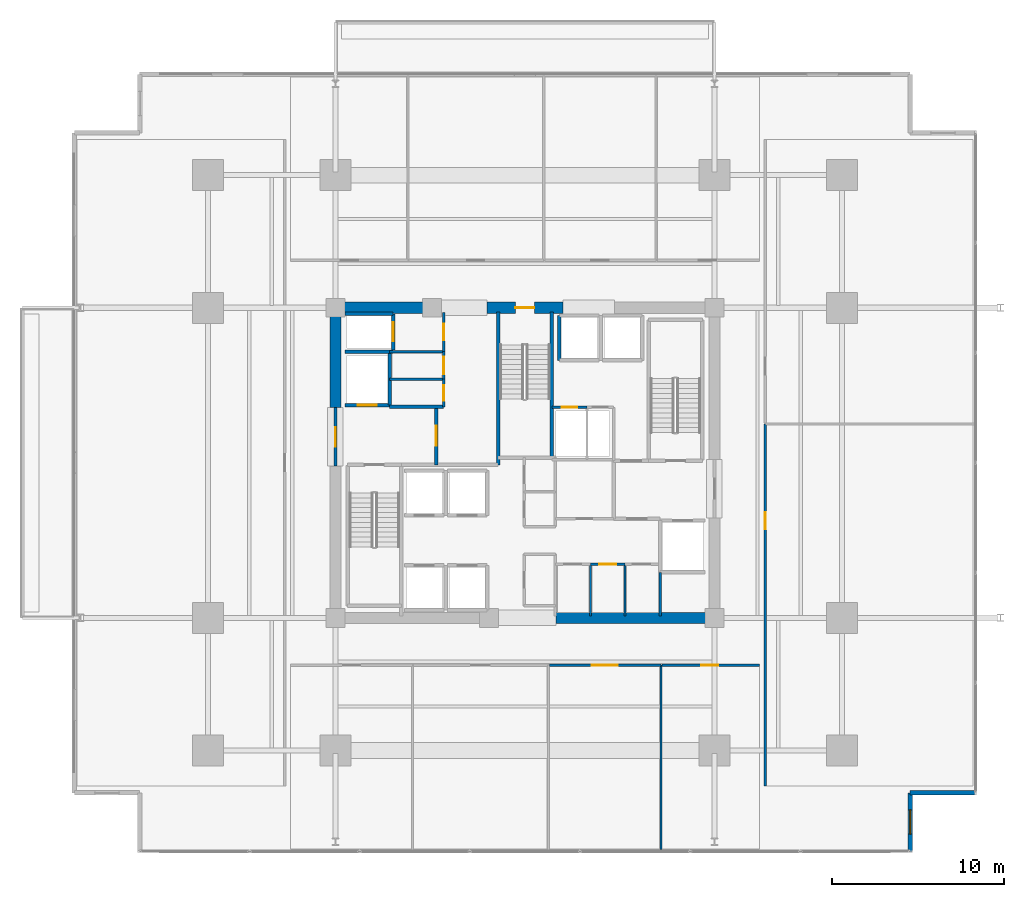
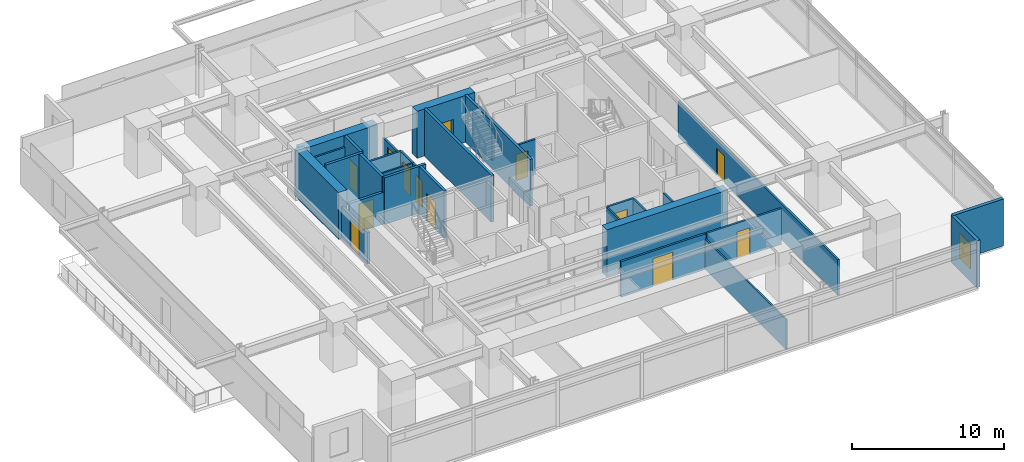
# One storey, part 14 of 20: 31 walls, 13 doors, 1 window, 14 openings.
"""IFC4 building model written with IfcOpenShell, lengths in metres."""

from ifc_helpers import new_model, si_unit, direction, frame, frame_2d, origin, place, context, subcontext, project, spatial, rectangle, extrude, material, layer, layer_set, type_object, element, fill, save


model = new_model("IFC4")

# Units and contexts
model_context = context("Model", 3, precision=1e-05, world=origin(), true_north=direction((0.0, 1.0)))
body_context = subcontext(model_context, "Body", "Model", "MODEL_VIEW")
ifc_project = project(units=[si_unit("LENGTHUNIT", "METRE"), si_unit("AREAUNIT", "SQUARE_METRE"), si_unit("VOLUMEUNIT", "CUBIC_METRE"), si_unit("PLANEANGLEUNIT", "RADIAN"), si_unit("MASSUNIT", "GRAM", prefix="KILO")], contexts=[model_context])

# Site, building, storey
site_placement = place(None, origin())
site = spatial("IfcSite", under=ifc_project, at=site_placement, CompositionType="ELEMENT")
building_placement = place(site_placement, origin())
building = spatial("IfcBuilding", under=site, at=building_placement, Name="Kovane Verandah Tower", CompositionType="ELEMENT")
storey_placement = place(building_placement, frame((0.0, 0.0, 75.60009765625)))
storey = spatial("IfcBuildingStorey", under=building, at=storey_placement, Name="L17", CompositionType="ELEMENT", Elevation=75.60009765625)

# Wall
ifc_material_1 = material(Name="Fire-Rated Gypsum Stud Partition", Category="gypsum")
ifc_layer_1 = layer(ifc_material_1, 0.14990234375)
ifc_layer_set_1 = layer_set([ifc_layer_1], Name="Fire-Rated Gypsum Stud Partition")
wall_type_1 = type_object("IfcWallType", Name="WL-COR-150", PredefinedType="PARTITIONING", material=ifc_layer_set_1)
wall_1_placement = place(storey_placement, frame((32.14990234375, 33.949951171875, 0.0), z_axis=(0.0, 0.0, 1.0), x_axis=(1.0, 0.0, 0.0)))
element("IfcWall", 1, at=wall_1_placement, inside=storey, type_object=wall_type_1, Name="L17 Goods Lift Lobby South Wall", PredefinedType="PARTITIONING", context=body_context, shape_type="SweptSolid", body=[
    extrude(rectangle(XDim=3.130126953125, YDim=0.14990234375, at=frame_2d((1.56494140625, 0.0))), origin(), (0.0, 0.0, 1.0), 2.849853515625),
])

# Wall, opening, door
wall_2_placement = place(storey_placement, frame((35.280029296875, 33.949951171875, 0.0), z_axis=(0.0, 0.0, 1.0), x_axis=(0.0, 1.0, 0.0)))
wall_2 = element("IfcWall", 2, at=wall_2_placement, inside=storey, type_object=wall_type_1, Name="L17 Goods Lift Lobby East Fire Partition", PredefinedType="PARTITIONING", context=body_context, shape_type="SweptSolid", body=[
    extrude(rectangle(XDim=2.27001953125, YDim=0.14990234375, at=frame_2d((1.135009765625, 0.0))), origin(), (0.0, 0.0, 1.0), 2.539794921875),
])
opening_1_placement = place(wall_2_placement, frame((0.659912109375, 0.0, 0.0)))
opening_1 = element("IfcOpeningElement", 3, at=opening_1_placement, cuts=wall_2, Name="Opening DR-L17-008", PredefinedType="OPENING", context=body_context, shape_type="SweptSolid", body=[
    extrude(rectangle(XDim=0.949951171875, YDim=2.14990234375, at=frame_2d((0.47509765625, 1.074951171875))), frame((0.0, 0.074951171875, 0.0), z_axis=(0.0, -1.0, 0.0), x_axis=(1.0, 0.0, 0.0)), (0.0, 0.0, 1.0), 0.14990234375),
])
ifc_material_2 = material(Name="Fire-Rated Steel Refuge and Lobby Door", Category="steel")
door_type_1 = type_object("IfcDoorType", Name="DR-FIRE-950", OperationType="SINGLE_SWING_LEFT", PredefinedType="DOOR", material=ifc_material_2)
door_1_placement = place(opening_1_placement, origin())
door_1 = element("IfcDoor", 4, at=door_1_placement, inside=storey, type_object=door_type_1, Name="L17 Goods Lift Lobby Fire Door", OperationType="SINGLE_SWING_LEFT", OverallHeight=2.14990234375, OverallWidth=0.949951171875, PredefinedType="DOOR", context=body_context, shape_type="SweptSolid", body=[
    extrude(rectangle(XDim=0.949951171875, YDim=2.14990234375, at=frame_2d((0.47509765625, 1.074951171875))), frame((0.0, 0.02490234375, 0.0), z_axis=(0.0, -1.0, 0.0), x_axis=(1.0, 0.0, 0.0)), (0.0, 0.0, 1.0), 0.050048828125),
])
fill(opening_1, door_1)

wall_3_placement = place(storey_placement, frame((35.280029296875, 30.75, 0.0), z_axis=(0.0, 0.0, 1.0), x_axis=(0.0, 1.0, 0.0)))
wall_3 = element("IfcWall", 5, at=wall_3_placement, inside=storey, type_object=wall_type_1, Name="L17 Accessible Unisex Toilet Partition", PredefinedType="PARTITIONING", context=body_context, shape_type="SweptSolid", body=[
    extrude(rectangle(XDim=1.60009765625, YDim=0.14990234375, at=frame_2d((0.800048828125, 0.0))), origin(), (0.0, 0.0, 1.0), 2.849853515625),
])
opening_2_placement = place(wall_3_placement, frame((0.35009765625, 0.0, 0.0)))
opening_2 = element("IfcOpeningElement", 6, at=opening_2_placement, cuts=wall_3, Name="Opening DR-L17-030", PredefinedType="OPENING", context=body_context, shape_type="SweptSolid", body=[
    extrude(rectangle(XDim=0.89990234375, YDim=2.10009765625, at=frame_2d((0.449951171875, 1.050048828125))), frame((0.0, 0.074951171875, 0.0), z_axis=(0.0, -1.0, 0.0), x_axis=(1.0, 0.0, 0.0)), (0.0, 0.0, 1.0), 0.14990234375),
])
ifc_material_3 = material(Name="Moisture-Resistant Laminate Washroom Door", Category="wood")
door_type_2 = type_object("IfcDoorType", Name="DR-WC-900", OperationType="SINGLE_SWING_LEFT", PredefinedType="DOOR", material=ifc_material_3)
door_2_placement = place(opening_2_placement, origin())
door_2 = element("IfcDoor", 7, at=door_2_placement, inside=storey, type_object=door_type_2, Name="L17 Accessible Unisex Toilet Door", OperationType="SINGLE_SWING_RIGHT", OverallHeight=2.10009765625, OverallWidth=0.89990234375, PredefinedType="DOOR", context=body_context, shape_type="SweptSolid", body=[
    extrude(rectangle(XDim=0.89990234375, YDim=2.10009765625, at=frame_2d((0.449951171875, 1.050048828125))), frame((0.0, 0.02490234375, 0.0), z_axis=(0.0, -1.0, 0.0), x_axis=(1.0, 0.0, 0.0)), (0.0, 0.0, 1.0), 0.050048828125),
])
fill(opening_2, door_2)

wall_4_placement = place(storey_placement, frame((35.280029296875, 32.35009765625, 0.0), z_axis=(0.0, 0.0, 1.0), x_axis=(0.0, 1.0, 0.0)))
wall_4 = element("IfcWall", 8, at=wall_4_placement, inside=storey, type_object=wall_type_1, Name="L17 North-West First Aid Room Partition", PredefinedType="PARTITIONING", context=body_context, shape_type="SweptSolid", body=[
    extrude(rectangle(XDim=1.599853515625, YDim=0.14990234375, at=frame_2d((0.7998046875, 0.0))), origin(), (0.0, 0.0, 1.0), 2.849853515625),
])
opening_3_placement = place(wall_4_placement, frame((0.300048828125, 0.0, 0.0)))
opening_3 = element("IfcOpeningElement", 9, at=opening_3_placement, cuts=wall_4, Name="Opening DR-L17-012", PredefinedType="OPENING", context=body_context, shape_type="SweptSolid", body=[
    extrude(rectangle(XDim=1.0, YDim=2.14990234375, at=frame_2d((0.5, 1.074951171875))), frame((0.0, 0.074951171875, 0.0), z_axis=(0.0, -1.0, 0.0), x_axis=(1.0, 0.0, 0.0)), (0.0, 0.0, 1.0), 0.14990234375),
])
ifc_material_4 = material(Name="FSC Spotted-Gum Timber Fire-Rated Office Door", Category="wood")
door_type_3 = type_object("IfcDoorType", Name="DR-OFF-1000", OperationType="SINGLE_SWING_LEFT", PredefinedType="DOOR", material=ifc_material_4)
door_3_placement = place(opening_3_placement, origin())
door_3 = element("IfcDoor", 10, at=door_3_placement, inside=storey, type_object=door_type_3, Name="L17 North-West First Aid Room Door", OperationType="SINGLE_SWING_LEFT", OverallHeight=2.14990234375, OverallWidth=1.0, PredefinedType="DOOR", context=body_context, shape_type="SweptSolid", body=[
    extrude(rectangle(XDim=1.0, YDim=2.14990234375, at=frame_2d((0.5, 1.074951171875))), frame((0.0, 0.02490234375, 0.0), z_axis=(0.0, -1.0, 0.0), x_axis=(1.0, 0.0, 0.0)), (0.0, 0.0, 1.0), 0.050048828125),
])
fill(opening_3, door_3)

# Wall
wall_5_placement = place(storey_placement, frame((47.85009765625, 18.60009765625, 0.0), z_axis=(0.0, 0.0, 1.0), x_axis=(0.0, 1.0, 0.0)))
element("IfcWall", 11, at=wall_5_placement, inside=storey, type_object=wall_type_1, Name="L17 East Core Support East Wall", PredefinedType="PARTITIONING", context=body_context, shape_type="SweptSolid", body=[
    extrude(rectangle(XDim=2.539794921875, YDim=0.14990234375, at=frame_2d((1.27001953125, 0.0))), origin(), (0.0, 0.0, 1.0), 2.849853515625),
])

# Wall, opening, door
wall_6_placement = place(storey_placement, frame((43.800048828125, 21.6201171875, 0.0), z_axis=(0.0, 0.0, 1.0), x_axis=(1.0, 0.0, 0.0)))
wall_6 = element("IfcWall", 12, at=wall_6_placement, inside=storey, type_object=wall_type_1, Name="L17 First Aid Room Partition", PredefinedType="PARTITIONING", context=body_context, shape_type="SweptSolid", body=[
    extrude(rectangle(XDim=2.0, YDim=0.14990234375, at=frame_2d((1.0, 0.0))), origin(), (0.0, 0.0, 1.0), 2.849853515625),
])
opening_4_placement = place(wall_6_placement, frame((0.5, 0.0, 0.0)))
opening_4 = element("IfcOpeningElement", 13, at=opening_4_placement, cuts=wall_6, Name="Opening DR-L17-016", PredefinedType="OPENING", context=body_context, shape_type="SweptSolid", body=[
    extrude(rectangle(XDim=1.0, YDim=2.14990234375, at=frame_2d((0.5, 1.074951171875))), frame((0.0, 0.074951171875, 0.0), z_axis=(0.0, -1.0, 0.0), x_axis=(1.0, 0.0, 0.0)), (0.0, 0.0, 1.0), 0.14990234375),
])
door_4_placement = place(opening_4_placement, origin())
door_4 = element("IfcDoor", 14, at=door_4_placement, inside=storey, type_object=door_type_3, Name="L17 First Aid Room Door", OperationType="SINGLE_SWING_LEFT", OverallHeight=2.14990234375, OverallWidth=1.0, PredefinedType="DOOR", context=body_context, shape_type="SweptSolid", body=[
    extrude(rectangle(XDim=1.0, YDim=2.14990234375, at=frame_2d((0.5, 1.074951171875))), frame((0.0, 0.02490234375, 0.0), z_axis=(0.0, -1.0, 0.0), x_axis=(1.0, 0.0, 0.0)), (0.0, 0.0, 1.0), 0.050048828125),
])
fill(opening_4, door_4)

wall_7_placement = place(storey_placement, frame((41.56005859375, 30.719970703125, 0.0), z_axis=(0.0, 0.0, 1.0), x_axis=(1.0, 0.0, 0.0)))
wall_7 = element("IfcWall", 15, at=wall_7_placement, inside=storey, type_object=wall_type_1, Name="L17 Electrical Sub-Main Riser Room Partition", PredefinedType="PARTITIONING", context=body_context, shape_type="SweptSolid", body=[
    extrude(rectangle(XDim=2.0400390625, YDim=0.14990234375, at=frame_2d((1.02001953125, 0.0))), origin(), (0.0, 0.0, 1.0), 2.849853515625),
])
opening_5_placement = place(wall_7_placement, frame((0.580078125, 0.0, 0.0)))
opening_5 = element("IfcOpeningElement", 16, at=opening_5_placement, cuts=wall_7, Name="Opening DR-L17-019", PredefinedType="OPENING", context=body_context, shape_type="SweptSolid", body=[
    extrude(rectangle(XDim=0.8798828125, YDim=2.10009765625, at=frame_2d((0.43994140625, 1.050048828125))), frame((0.0, 0.074951171875, 0.0), z_axis=(0.0, -1.0, 0.0), x_axis=(1.0, 0.0, 0.0)), (0.0, 0.0, 1.0), 0.14990234375),
])
ifc_material_5 = material(Name="Fire-Rated Steel Riser Access Door", Category="steel")
door_type_4 = type_object("IfcDoorType", Name="DR-RISER-880", OperationType="SINGLE_SWING_LEFT", PredefinedType="DOOR", material=ifc_material_5)
door_5_placement = place(opening_5_placement, origin())
door_5 = element("IfcDoor", 17, at=door_5_placement, inside=storey, type_object=door_type_4, Name="L17 Electrical Sub-Main Riser Room Door", OperationType="SINGLE_SWING_RIGHT", OverallHeight=2.10009765625, OverallWidth=0.8798828125, PredefinedType="DOOR", context=body_context, shape_type="SweptSolid", body=[
    extrude(rectangle(XDim=0.8798828125, YDim=2.10009765625, at=frame_2d((0.43994140625, 1.050048828125))), frame((0.0, 0.02490234375, 0.0), z_axis=(0.0, -1.0, 0.0), x_axis=(1.0, 0.0, 0.0)), (0.0, 0.0, 1.0), 0.050048828125),
])
fill(opening_5, door_5)

wall_8_placement = place(storey_placement, frame((41.429931640625, 15.75, 0.0), z_axis=(0.0, 0.0, 1.0), x_axis=(1.0, 0.0, 0.0)))
wall_8 = element("IfcWall", 18, at=wall_8_placement, inside=storey, type_object=wall_type_1, Name="L17 Client Boardroom S3 Corridor Partition", PredefinedType="PARTITIONING", context=body_context, shape_type="SweptSolid", body=[
    extrude(rectangle(XDim=6.4580078125, YDim=0.14990234375, at=frame_2d((3.22900390625, 0.0))), origin(), (0.0, 0.0, 1.0), 2.849853515625),
])
opening_6_placement = place(wall_8_placement, frame((2.444091796875, 0.0, 0.0)))
opening_6 = element("IfcOpeningElement", 19, at=opening_6_placement, cuts=wall_8, Name="Opening DR-L17-027", PredefinedType="OPENING", context=body_context, shape_type="SweptSolid", body=[
    extrude(rectangle(XDim=1.5, YDim=2.25, at=frame_2d((0.75, 1.125))), frame((0.0, 0.074951171875, 0.0), z_axis=(0.0, -1.0, 0.0), x_axis=(1.0, 0.0, 0.0)), (0.0, 0.0, 1.0), 0.14990234375),
])
ifc_material_6 = material(Name="Glazed Timber Fire-Rated Double Door", Category="wood")
door_type_5 = type_object("IfcDoorType", Name="DR-CONF-1500", OperationType="DOUBLE_DOOR_SINGLE_SWING", PredefinedType="DOOR", material=ifc_material_6)
door_6_placement = place(opening_6_placement, origin())
door_6 = element("IfcDoor", 20, at=door_6_placement, inside=storey, type_object=door_type_5, Name="L17 Client Boardroom S3 Entrance Door", OperationType="DOUBLE_DOOR_SINGLE_SWING", OverallHeight=2.25, OverallWidth=1.5, PredefinedType="DOOR", context=body_context, shape_type="SweptSolid", body=[
    extrude(rectangle(XDim=1.5, YDim=2.25, at=frame_2d((0.75, 1.125))), frame((0.0, 0.02490234375, 0.0), z_axis=(0.0, -1.0, 0.0), x_axis=(1.0, 0.0, 0.0)), (0.0, 0.0, 1.0), 0.050048828125),
])
fill(opening_6, door_6)

wall_9_placement = place(storey_placement, frame((47.9580078125, 15.75, 0.0), z_axis=(0.0, 0.0, 1.0), x_axis=(1.0, 0.0, 0.0)))
wall_9 = element("IfcWall", 21, at=wall_9_placement, inside=storey, type_object=wall_type_1, Name="L17 Meeting Room S4 Corridor Partition", PredefinedType="PARTITIONING", context=body_context, shape_type="SweptSolid", body=[
    extrude(rectangle(XDim=5.64208984375, YDim=0.14990234375, at=frame_2d((2.821044921875, 0.0))), origin(), (0.0, 0.0, 1.0), 2.849853515625),
])
opening_7_placement = place(wall_9_placement, frame((2.27099609375, 0.0, 0.0)))
opening_7 = element("IfcOpeningElement", 22, at=opening_7_placement, cuts=wall_9, Name="Opening DR-L17-028", PredefinedType="OPENING", context=body_context, shape_type="SweptSolid", body=[
    extrude(rectangle(XDim=1.0, YDim=2.14990234375, at=frame_2d((0.5, 1.074951171875))), frame((0.0, 0.074951171875, 0.0), z_axis=(0.0, -1.0, 0.0), x_axis=(1.0, 0.0, 0.0)), (0.0, 0.0, 1.0), 0.14990234375),
])
door_7_placement = place(opening_7_placement, origin())
door_7 = element("IfcDoor", 23, at=door_7_placement, inside=storey, type_object=door_type_3, Name="L17 Meeting Room S4 Entrance Door", OperationType="SINGLE_SWING_LEFT", OverallHeight=2.14990234375, OverallWidth=1.0, PredefinedType="DOOR", context=body_context, shape_type="SweptSolid", body=[
    extrude(rectangle(XDim=1.0, YDim=2.14990234375, at=frame_2d((0.5, 1.074951171875))), frame((0.0, 0.02490234375, 0.0), z_axis=(0.0, -1.0, 0.0), x_axis=(1.0, 0.0, 0.0)), (0.0, 0.0, 1.0), 0.050048828125),
])
fill(opening_7, door_7)

wall_10_placement = place(storey_placement, frame((53.949951171875, 8.746337890625, 0.0), z_axis=(0.0, 0.0, 1.0), x_axis=(0.0, 1.0, 0.0)))
wall_10 = element("IfcWall", 24, at=wall_10_placement, inside=storey, type_object=wall_type_1, Name="L17 Breakout Pantry E1 Corridor Partition", PredefinedType="PARTITIONING", context=body_context, shape_type="SweptSolid", body=[
    extrude(rectangle(XDim=21.004150390625, YDim=0.14990234375, at=frame_2d((10.501953125, 0.0))), origin(), (0.0, 0.0, 1.0), 2.849853515625),
])
opening_8_placement = place(wall_10_placement, frame((14.893798828125, 0.0, 0.0)))
opening_8 = element("IfcOpeningElement", 25, at=opening_8_placement, cuts=wall_10, Name="Opening DR-L17-013", PredefinedType="OPENING", context=body_context, shape_type="SweptSolid", body=[
    extrude(rectangle(XDim=1.0, YDim=2.14990234375, at=frame_2d((0.5, 1.074951171875))), frame((0.0, 0.074951171875, 0.0), z_axis=(0.0, -1.0, 0.0), x_axis=(1.0, 0.0, 0.0)), (0.0, 0.0, 1.0), 0.14990234375),
])
door_8_placement = place(opening_8_placement, origin())
door_8 = element("IfcDoor", 26, at=door_8_placement, inside=storey, type_object=door_type_3, Name="L17 Breakout Pantry E1 Entrance Door", OperationType="SINGLE_SWING_LEFT", OverallHeight=2.14990234375, OverallWidth=1.0, PredefinedType="DOOR", context=body_context, shape_type="SweptSolid", body=[
    extrude(rectangle(XDim=1.0, YDim=2.14990234375, at=frame_2d((0.5, 1.074951171875))), frame((0.0, 0.02490234375, 0.0), z_axis=(0.0, -1.0, 0.0), x_axis=(1.0, 0.0, 0.0)), (0.0, 0.0, 1.0), 0.050048828125),
])
fill(opening_8, door_8)

# Walls
ifc_material_7 = material(Name="Concrete C80/95", Category="concrete")
ifc_layer_2 = layer(ifc_material_7, 0.64990234375)
ifc_layer_set_2 = layer_set([ifc_layer_2], Name="Concrete C80/95")
wall_type_2 = type_object("IfcWallType", Name="WL-CORE-650", PredefinedType="SHEAR", material=ifc_layer_set_2)
wall_11_placement = place(storey_placement, frame((41.800048828125, 18.5, 0.0), z_axis=(0.0, 0.0, 1.0), x_axis=(1.0, 0.0, 0.0)))
element("IfcWall", 27, at=wall_11_placement, inside=storey, type_object=wall_type_2, Name="L17 Core Shear Wall CS-2", PredefinedType="SHEAR", context=body_context, shape_type="SweptSolid", body=[
    extrude(rectangle(XDim=9.199951171875, YDim=0.64990234375, at=frame_2d((4.60009765625, 0.0))), origin(), (0.0, 0.0, 1.0), 3.760009765625),
])
wall_12_placement = place(storey_placement, frame((29.0, 36.5, 0.0), z_axis=(0.0, 0.0, 1.0), x_axis=(1.0, 0.0, 0.0)))
element("IfcWall", 28, at=wall_12_placement, inside=storey, type_object=wall_type_2, Name="L17 Core Shear Wall CN-1", PredefinedType="SHEAR", context=body_context, shape_type="SweptSolid", body=[
    extrude(rectangle(XDim=5.800048828125, YDim=0.64990234375, at=frame_2d((2.89990234375, 0.0))), origin(), (0.0, 0.0, 1.0), 3.760009765625),
])

# Wall, opening, door
wall_13_placement = place(storey_placement, frame((37.800048828125, 36.5, 0.0), z_axis=(0.0, 0.0, 1.0), x_axis=(1.0, 0.0, 0.0)))
wall_13 = element("IfcWall", 29, at=wall_13_placement, inside=storey, type_object=wall_type_2, Name="L17 Core Shear Wall CN-2", PredefinedType="SHEAR", context=body_context, shape_type="SweptSolid", body=[
    extrude(rectangle(XDim=4.39990234375, YDim=0.64990234375, at=frame_2d((2.199951171875, 0.0))), origin(), (0.0, 0.0, 1.0), 3.760009765625),
])
opening_9_placement = place(wall_13_placement, frame((1.64990234375, 0.0, 0.0)))
opening_9 = element("IfcOpeningElement", 30, at=opening_9_placement, cuts=wall_13, Name="Opening DR-L17-011", PredefinedType="OPENING", context=body_context, shape_type="SweptSolid", body=[
    extrude(rectangle(XDim=1.10009765625, YDim=2.14990234375, at=frame_2d((0.550048828125, 1.074951171875))), frame((0.0, 0.324951171875, 0.0), z_axis=(0.0, -1.0, 0.0), x_axis=(1.0, 0.0, 0.0)), (0.0, 0.0, 1.0), 0.64990234375),
])
ifc_material_8 = material(Name="Fire-Rated Steel Exit Door", Category="steel")
door_type_6 = type_object("IfcDoorType", Name="DR-STAIR-1100", OperationType="SINGLE_SWING_LEFT", PredefinedType="DOOR", material=ifc_material_8)
door_9_placement = place(opening_9_placement, origin())
door_9 = element("IfcDoor", 31, at=door_9_placement, inside=storey, type_object=door_type_6, Name="L17 ST-03 Fire Exit Stair Door", OperationType="SINGLE_SWING_LEFT", OverallHeight=2.14990234375, OverallWidth=1.10009765625, PredefinedType="DOOR", context=body_context, shape_type="SweptSolid", body=[
    extrude(rectangle(XDim=1.10009765625, YDim=2.14990234375, at=frame_2d((0.550048828125, 1.074951171875))), frame((0.0, 0.02490234375, 0.0), z_axis=(0.0, -1.0, 0.0), x_axis=(1.0, 0.0, 0.0)), (0.0, 0.0, 1.0), 0.050048828125),
])
fill(opening_9, door_9)

# Wall
wall_14_placement = place(storey_placement, frame((29.0, 30.699951171875, 0.0), z_axis=(0.0, 0.0, 1.0), x_axis=(0.0, 1.0, 0.0)))
element("IfcWall", 32, at=wall_14_placement, inside=storey, type_object=wall_type_2, Name="L17 Core Shear Wall CW-2", PredefinedType="SHEAR", context=body_context, shape_type="SweptSolid", body=[
    extrude(rectangle(XDim=5.800048828125, YDim=0.64990234375, at=frame_2d((2.89990234375, 0.0))), origin(), (0.0, 0.0, 1.0), 3.760009765625),
])

# Wall, opening, door
ifc_material_9 = material(Name="Concrete C45/55 Fire Wall", Category="concrete")
ifc_layer_3 = layer(ifc_material_9, 0.199951171875)
ifc_layer_set_3 = layer_set([ifc_layer_3], Name="Concrete C45/55 Fire Wall")
wall_type_3 = type_object("IfcWallType", Name="WL-FFL-200", PredefinedType="PARTITIONING", material=ifc_layer_set_3)
wall_15_placement = place(storey_placement, frame((34.85009765625, 27.3798828125, 0.0), z_axis=(0.0, 0.0, 1.0), x_axis=(0.0, 1.0, 0.0)))
wall_15 = element("IfcWall", 33, at=wall_15_placement, inside=storey, type_object=wall_type_3, Name="W-L17-FFLW-E", PredefinedType="PARTITIONING", context=body_context, shape_type="SweptSolid", body=[
    extrude(rectangle(XDim=3.3701171875, YDim=0.199951171875, at=frame_2d((1.68505859375, 0.0))), origin(), (0.0, 0.0, 1.0), 3.760009765625),
])
opening_10_placement = place(wall_15_placement, frame((1.110107421875, 0.0, 0.0)))
opening_10 = element("IfcOpeningElement", 34, at=opening_10_placement, cuts=wall_15, Name="Opening DR-L17-006", PredefinedType="OPENING", context=body_context, shape_type="SweptSolid", body=[
    extrude(rectangle(XDim=1.14990234375, YDim=2.199951171875, at=frame_2d((0.574951171875, 1.10009765625))), frame((0.0, 0.10009765625, 0.0), z_axis=(0.0, -1.0, 0.0), x_axis=(1.0, 0.0, 0.0)), (0.0, 0.0, 1.0), 0.199951171875),
])
ifc_material_10 = material(Name="Smoke-Sealed Firefighting Lobby Door", Category="steel")
door_type_7 = type_object("IfcDoorType", Name="DR-FFL-1150", OperationType="SINGLE_SWING_LEFT", PredefinedType="DOOR", material=ifc_material_10)
door_10_placement = place(opening_10_placement, origin())
door_10 = element("IfcDoor", 35, at=door_10_placement, inside=storey, type_object=door_type_7, Name="L17 West Firefighting Lobby Inner Door", OperationType="SINGLE_SWING_LEFT", OverallHeight=2.199951171875, OverallWidth=1.14990234375, PredefinedType="DOOR", context=body_context, shape_type="SweptSolid", body=[
    extrude(rectangle(XDim=1.14990234375, YDim=2.199951171875, at=frame_2d((0.574951171875, 1.10009765625))), frame((0.0, 0.02490234375, 0.0), z_axis=(0.0, -1.0, 0.0), x_axis=(1.0, 0.0, 0.0)), (0.0, 0.0, 1.0), 0.050048828125),
])
fill(opening_10, door_10)

wall_16_placement = place(storey_placement, frame((29.0, 27.300048828125, 0.0), z_axis=(0.0, 0.0, 1.0), x_axis=(0.0, 1.0, 0.0)))
wall_16 = element("IfcWall", 36, at=wall_16_placement, inside=storey, type_object=wall_type_3, Name="W-L17-FFLW-OUT", PredefinedType="PARTITIONING", context=body_context, shape_type="SweptSolid", body=[
    extrude(rectangle(XDim=3.39990234375, YDim=0.199951171875, at=frame_2d((1.699951171875, 0.0))), origin(), (0.0, 0.0, 1.0), 2.539794921875),
])
opening_11_placement = place(wall_16_placement, frame((1.125, 0.0, 0.0)))
opening_11 = element("IfcOpeningElement", 37, at=opening_11_placement, cuts=wall_16, Name="Opening DR-L17-007", PredefinedType="OPENING", context=body_context, shape_type="SweptSolid", body=[
    extrude(rectangle(XDim=1.14990234375, YDim=2.199951171875, at=frame_2d((0.574951171875, 1.10009765625))), frame((0.0, 0.10009765625, 0.0), z_axis=(0.0, -1.0, 0.0), x_axis=(1.0, 0.0, 0.0)), (0.0, 0.0, 1.0), 0.199951171875),
])
door_11_placement = place(opening_11_placement, origin())
door_11 = element("IfcDoor", 38, at=door_11_placement, inside=storey, type_object=door_type_7, Name="L17 West Firefighting Lobby Corridor Door", OperationType="SINGLE_SWING_RIGHT", OverallHeight=2.199951171875, OverallWidth=1.14990234375, PredefinedType="DOOR", context=body_context, shape_type="SweptSolid", body=[
    extrude(rectangle(XDim=1.14990234375, YDim=2.199951171875, at=frame_2d((0.574951171875, 1.10009765625))), frame((0.0, 0.02490234375, 0.0), z_axis=(0.0, -1.0, 0.0), x_axis=(1.0, 0.0, 0.0)), (0.0, 0.0, 1.0), 0.050048828125),
])
fill(opening_11, door_11)

# Wall
wall_17_placement = place(storey_placement, frame((32.14990234375, 30.75, 0.0), z_axis=(0.0, 0.0, 1.0), x_axis=(1.0, 0.0, 0.0)))
element("IfcWall", 39, at=wall_17_placement, inside=storey, type_object=wall_type_3, Name="L17 West Firefighting Lobby North Fire Wall", PredefinedType="PARTITIONING", context=body_context, shape_type="SweptSolid", body=[
    extrude(rectangle(XDim=3.130126953125, YDim=0.199951171875, at=frame_2d((1.56494140625, 0.0))), origin(), (0.0, 0.0, 1.0), 3.760009765625),
])

# Wall, opening, door
ifc_material_11 = material(Name="Concrete C45/55 Lift Shaft Wall", Category="concrete")
ifc_layer_4 = layer(ifc_material_11, 0.199951171875)
ifc_layer_set_4 = layer_set([ifc_layer_4], Name="Concrete C45/55 Lift Shaft Wall")
wall_type_4 = type_object("IfcWallType", Name="WL-LIFT-200", PredefinedType="SOLIDWALL", material=ifc_layer_set_4)
wall_18_placement = place(storey_placement, frame((29.550048828125, 30.85009765625, 0.0), z_axis=(0.0, 0.0, 1.0), x_axis=(1.0, 0.0, 0.0)))
wall_18 = element("IfcWall", 40, at=wall_18_placement, inside=storey, type_object=wall_type_4, Name="L17 Lift FL-01 S Shaft Wall", PredefinedType="SOLIDWALL", context=body_context, shape_type="SweptSolid", body=[
    extrude(rectangle(XDim=2.599853515625, YDim=0.199951171875, at=frame_2d((1.2998046875, 0.0))), origin(), (0.0, 0.0, 1.0), 2.539794921875),
])
opening_12_placement = place(wall_18_placement, frame((0.75, 0.0, 0.0)))
opening_12 = element("IfcOpeningElement", 41, at=opening_12_placement, cuts=wall_18, Name="Opening LD-L17-001", PredefinedType="OPENING", context=body_context, shape_type="SweptSolid", body=[
    extrude(rectangle(XDim=1.10009765625, YDim=2.199951171875, at=frame_2d((0.550048828125, 1.10009765625))), frame((0.0, 0.10009765625, 0.0), z_axis=(0.0, -1.0, 0.0), x_axis=(1.0, 0.0, 0.0)), (0.0, 0.0, 1.0), 0.199951171875),
])
ifc_material_12 = material(Name="Brushed Stainless Steel Sliding Lift Landing Door", Category="steel")
door_type_8 = type_object("IfcDoorType", Name="DR-LIFT-1100", OperationType="SLIDING_TO_RIGHT", PredefinedType="DOOR", material=ifc_material_12)
door_12_placement = place(opening_12_placement, origin())
door_12 = element("IfcDoor", 42, at=door_12_placement, inside=storey, type_object=door_type_8, Name="L17 Lift FL-01 Sliding Landing Door", OperationType="SLIDING_TO_RIGHT", OverallHeight=2.199951171875, OverallWidth=1.10009765625, PredefinedType="DOOR", context=body_context, shape_type="SweptSolid", body=[
    extrude(rectangle(XDim=1.10009765625, YDim=2.199951171875, at=frame_2d((0.550048828125, 1.10009765625))), frame((0.0, 0.02490234375, 0.0), z_axis=(0.0, -1.0, 0.0), x_axis=(1.0, 0.0, 0.0)), (0.0, 0.0, 1.0), 0.050048828125),
])
fill(opening_12, door_12)

# Walls
wall_19_placement = place(storey_placement, frame((29.550048828125, 33.949951171875, 0.0), z_axis=(0.0, 0.0, 1.0), x_axis=(1.0, 0.0, 0.0)))
element("IfcWall", 43, at=wall_19_placement, inside=storey, type_object=wall_type_4, Name="L17 Lift FL-01 and GL-01 Shared Shaft Wall", PredefinedType="SOLIDWALL", context=body_context, shape_type="SweptSolid", body=[
    extrude(rectangle(XDim=2.800048828125, YDim=0.199951171875, at=frame_2d((1.39990234375, 0.0))), origin(), (0.0, 0.0, 1.0), 3.760009765625),
])
wall_20_placement = place(storey_placement, frame((32.14990234375, 30.85009765625, 0.0), z_axis=(0.0, 0.0, 1.0), x_axis=(0.0, 1.0, 0.0)))
element("IfcWall", 44, at=wall_20_placement, inside=storey, type_object=wall_type_4, Name="L17 Lift FL-01 E Shaft Wall", PredefinedType="SOLIDWALL", context=body_context, shape_type="SweptSolid", body=[
    extrude(rectangle(XDim=3.0, YDim=0.199951171875, at=frame_2d((1.5, 0.0))), origin(), (0.0, 0.0, 1.0), 3.760009765625),
])
wall_21_placement = place(storey_placement, frame((32.35009765625, 36.14990234375, 0.0), z_axis=(0.0, 0.0, 1.0), x_axis=(-1.0, 0.0, 0.0)))
element("IfcWall", 45, at=wall_21_placement, inside=storey, type_object=wall_type_4, Name="L17 Lift GL-01 N Shaft Wall", PredefinedType="SOLIDWALL", context=body_context, shape_type="SweptSolid", body=[
    extrude(rectangle(XDim=2.800048828125, YDim=0.199951171875, at=frame_2d((1.39990234375, 0.0))), origin(), (0.0, 0.0, 1.0), 2.88916015625),
])

# Wall, opening, door
wall_22_placement = place(storey_placement, frame((32.35009765625, 34.050048828125, 0.0), z_axis=(0.0, 0.0, 1.0), x_axis=(0.0, 1.0, 0.0)))
wall_22 = element("IfcWall", 46, at=wall_22_placement, inside=storey, type_object=wall_type_4, Name="L17 Lift GL-01 E Shaft Wall", PredefinedType="SOLIDWALL", context=body_context, shape_type="SweptSolid", body=[
    extrude(rectangle(XDim=2.099853515625, YDim=0.199951171875, at=frame_2d((1.0498046875, 0.0))), origin(), (0.0, 0.0, 1.0), 3.760009765625),
])
opening_13_placement = place(wall_22_placement, frame((0.5, 0.0, 0.0)))
opening_13 = element("IfcOpeningElement", 47, at=opening_13_placement, cuts=wall_22, Name="Opening LD-L17-003", PredefinedType="OPENING", context=body_context, shape_type="SweptSolid", body=[
    extrude(rectangle(XDim=1.10009765625, YDim=2.199951171875, at=frame_2d((0.550048828125, 1.10009765625))), frame((0.0, 0.10009765625, 0.0), z_axis=(0.0, -1.0, 0.0), x_axis=(1.0, 0.0, 0.0)), (0.0, 0.0, 1.0), 0.199951171875),
])
door_13_placement = place(opening_13_placement, origin())
door_13 = element("IfcDoor", 48, at=door_13_placement, inside=storey, type_object=door_type_8, Name="L17 Lift GL-01 Sliding Landing Door", OperationType="SLIDING_TO_RIGHT", OverallHeight=2.199951171875, OverallWidth=1.10009765625, PredefinedType="DOOR", context=body_context, shape_type="SweptSolid", body=[
    extrude(rectangle(XDim=1.10009765625, YDim=2.199951171875, at=frame_2d((0.550048828125, 1.10009765625))), frame((0.0, 0.02490234375, 0.0), z_axis=(0.0, -1.0, 0.0), x_axis=(1.0, 0.0, 0.0)), (0.0, 0.0, 1.0), 0.050048828125),
])
fill(opening_13, door_13)

# Walls
wall_23_placement = place(storey_placement, frame((42.0, 36.050048828125, 0.0), z_axis=(0.0, 0.0, 1.0), x_axis=(0.0, -1.0, 0.0)))
element("IfcWall", 49, at=wall_23_placement, inside=storey, type_object=wall_type_4, Name="L17 Lift SL-01 W Shaft Wall", PredefinedType="SOLIDWALL", context=body_context, shape_type="SweptSolid", body=[
    extrude(rectangle(XDim=2.60009765625, YDim=0.199951171875, at=frame_2d((1.300048828125, 0.0))), origin(), (0.0, 0.0, 1.0), 2.539794921875),
])
ifc_material_13 = material(Name="Acoustic Fire-Rated Gypsum Partition", Category="gypsum")
ifc_layer_5 = layer(ifc_material_13, 0.1201171875)
ifc_layer_set_5 = layer_set([ifc_layer_5], Name="Acoustic Fire-Rated Gypsum Partition")
wall_type_5 = type_object("IfcWallType", Name="WL-PART-120", PredefinedType="PARTITIONING", material=ifc_layer_set_5)
wall_24_placement = place(storey_placement, frame((32.14990234375, 32.35009765625, 0.0), z_axis=(0.0, 0.0, 1.0), x_axis=(1.0, 0.0, 0.0)))
element("IfcWall", 50, at=wall_24_placement, inside=storey, type_object=wall_type_5, Name="L17 Accessible Washroom and Support Dividing Partition", PredefinedType="PARTITIONING", context=body_context, shape_type="SweptSolid", body=[
    extrude(rectangle(XDim=3.130126953125, YDim=0.1201171875, at=frame_2d((1.56494140625, 0.0))), origin(), (0.0, 0.0, 1.0), 2.849853515625),
])
for number, where, z_axis, x_axis, name in (
    (51, (43.800048828125, 18.60009765625, 0.0), (0.0, 0.0, 1.0), (0.0, 1.0, 0.0), "L17 East Core Support Dividing Partition 1"),
    (52, (45.800048828125, 18.60009765625, 0.0), (0.0, 0.0, 1.0), (0.0, 1.0, 0.0), "L17 East Core Support Dividing Partition 2"),
):
    element("IfcWall", number, at=place(storey_placement, frame(where, z_axis=z_axis, x_axis=x_axis)), inside=storey, type_object=wall_type_5, Name=name, PredefinedType="PARTITIONING", context=body_context, shape_type="SweptSolid", body=[
        extrude(rectangle(XDim=3.02001953125, YDim=0.1201171875, at=frame_2d((1.510009765625, 0.0))), origin(), (0.0, 0.0, 1.0), 2.849853515625),
    ])
wall_25_placement = place(storey_placement, frame((47.887939453125, 5.04638671875, 0.0), z_axis=(0.0, 0.0, 1.0), x_axis=(0.0, 1.0, 0.0)))
element("IfcWall", 53, at=wall_25_placement, inside=storey, type_object=wall_type_5, Name="L17 Client Boardroom S3 Dividing Partition", PredefinedType="PARTITIONING", context=body_context, shape_type="SweptSolid", body=[
    extrude(rectangle(XDim=10.70361328125, YDim=0.1201171875, at=frame_2d((5.351806640625, 0.0))), origin(), (0.0, 0.0, 1.0), 2.389892578125),
])
ifc_material_14 = material(Name="Concrete C45/55", Category="concrete")
ifc_layer_6 = layer(ifc_material_14, 0.199951171875)
ifc_layer_set_6 = layer_set([ifc_layer_6], Name="Concrete C45/55")
wall_type_6 = type_object("IfcWallType", Name="WL-SHAFT-200", PredefinedType="SOLIDWALL", material=ifc_layer_set_6)
wall_26_placement = place(storey_placement, frame((38.43994140625, 27.3798828125, 0.0), z_axis=(0.0, 0.0, 1.0), x_axis=(0.0, 1.0, 0.0)))
element("IfcWall", 54, at=wall_26_placement, inside=storey, type_object=wall_type_6, Name="W-L17-ST03-W", PredefinedType="SOLIDWALL", context=body_context, shape_type="SweptSolid", body=[
    extrude(rectangle(XDim=8.8701171875, YDim=0.199951171875, at=frame_2d((4.43505859375, 0.0))), origin(), (0.0, 0.0, 1.0), 3.760009765625),
])
wall_27_placement = place(storey_placement, frame((41.56005859375, 27.679931640625, 0.0), z_axis=(0.0, 0.0, 1.0), x_axis=(0.0, 1.0, 0.0)))
element("IfcWall", 55, at=wall_27_placement, inside=storey, type_object=wall_type_6, Name="W-L17-ST03-E", PredefinedType="SOLIDWALL", context=body_context, shape_type="SweptSolid", body=[
    extrude(rectangle(XDim=8.570068359375, YDim=0.199951171875, at=frame_2d((4.28515625, 0.0))), origin(), (0.0, 0.0, 1.0), 3.760009765625),
])

# Wall, opening, window
ifc_material_15 = material(Name="Concrete C45/55 Insulated Spandrel Wall", Category="concrete")
ifc_layer_7 = layer(ifc_material_15, 0.260009765625)
ifc_layer_set_7 = layer_set([ifc_layer_7], Name="Concrete C45/55 Insulated Spandrel Wall")
wall_type_7 = type_object("IfcWallType", Name="WL-SPANDREL-260", PredefinedType="PARAPET", material=ifc_layer_set_7)
wall_28_placement = place(storey_placement, frame((62.3623046875, 4.9462890625, 0.0), z_axis=(0.0, 0.0, 1.0), x_axis=(0.0, 1.0, 0.0)))
wall_28 = element("IfcWall", 56, at=wall_28_placement, inside=storey, type_object=wall_type_7, Name="L17 SE Notch Cheek Wall 1", PredefinedType="PARAPET", context=body_context, shape_type="SweptSolid", body=[
    extrude(rectangle(XDim=3.39990234375, YDim=0.260009765625, at=frame_2d((1.699951171875, 0.0))), origin(), (0.0, 0.0, 1.0), 3.760009765625),
])
opening_14_placement = place(wall_28_placement, frame((1.0, 0.0, 0.85009765625)))
opening_14 = element("IfcOpeningElement", 57, at=opening_14_placement, cuts=wall_28, Name="Opening W-01", PredefinedType="OPENING", context=body_context, shape_type="SweptSolid", body=[
    extrude(rectangle(XDim=1.39990234375, YDim=2.0, at=frame_2d((0.699951171875, 1.0))), frame((0.0, 0.1298828125, 0.0), z_axis=(0.0, -1.0, 0.0), x_axis=(1.0, 0.0, 0.0)), (0.0, 0.0, 1.0), 0.260009765625),
])
ifc_material_16 = material(Name="Clear Low-E Laminated Double Glazing in Anodised Frame", Category="glass")
window_type = type_object("IfcWindowType", Name="WN-OPER-1400x2000", PartitioningType="SINGLE_PANEL", PredefinedType="WINDOW", material=ifc_material_16)
window_placement = place(opening_14_placement, origin())
window = element("IfcWindow", 58, at=window_placement, inside=storey, type_object=window_type, Name="L17 SE Re-Entrant Corner Operable Window", OverallHeight=2.0, OverallWidth=1.39990234375, PartitioningType="SINGLE_PANEL", PredefinedType="WINDOW", context=body_context, shape_type="SweptSolid", body=[
    extrude(rectangle(XDim=1.39990234375, YDim=2.0, at=frame_2d((0.699951171875, 1.0))), frame((0.0, 0.030029296875, 0.0), z_axis=(0.0, -1.0, 0.0), x_axis=(1.0, 0.0, 0.0)), (0.0, 0.0, 1.0), 0.06005859375),
])
fill(opening_14, window)

# Wall
wall_29_placement = place(storey_placement, frame((62.3623046875, 8.34619140625, 0.0), z_axis=(0.0, 0.0, 1.0), x_axis=(1.0, 0.0, 0.0)))
element("IfcWall", 59, at=wall_29_placement, inside=storey, type_object=wall_type_7, Name="L17 SE Notch Cheek Wall 2", PredefinedType="PARAPET", context=body_context, shape_type="SweptSolid", body=[
    extrude(rectangle(XDim=3.800048828125, YDim=0.260009765625, at=frame_2d((1.89990234375, 0.0))), origin(), (0.0, 0.0, 1.0), 3.760009765625),
])

save(model, "model.ifc")
